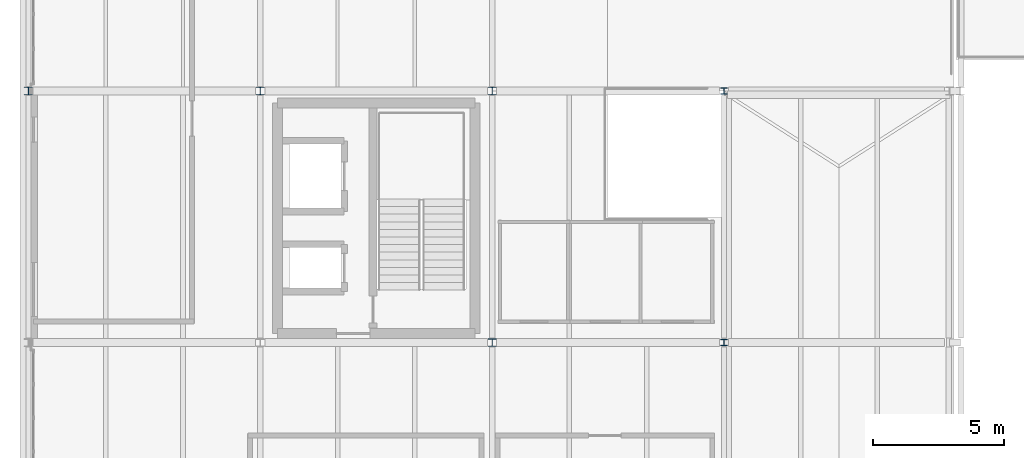
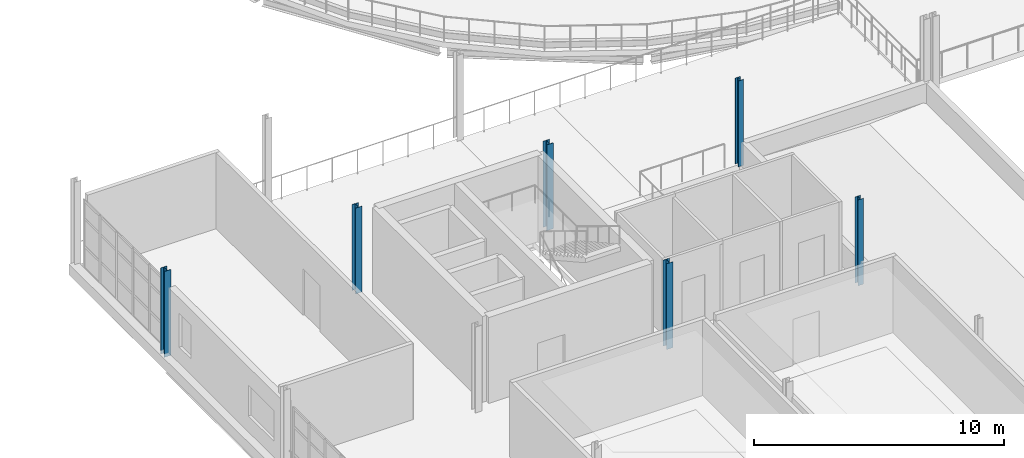
# One storey, part 2 of 58: 6 columns.
"""IFC4 building model written with IfcOpenShell, lengths in metres."""

from ifc_helpers import new_model, si_unit, direction, frame, origin, origin_2d, place, context, subcontext, project, spatial, i_section, extrude, material, material_profile, profile_set, type_object, element, save


model = new_model("IFC4")

# Units and contexts
model_context = context("Model", 3, precision=1e-05, world=origin(), true_north=direction((0.0, 1.0)))
body_context = subcontext(model_context, "Body", "Model", "MODEL_VIEW")
ifc_project = project(units=[si_unit("LENGTHUNIT", "METRE"), si_unit("AREAUNIT", "SQUARE_METRE"), si_unit("VOLUMEUNIT", "CUBIC_METRE"), si_unit("PLANEANGLEUNIT", "RADIAN"), si_unit("MASSUNIT", "GRAM", prefix="KILO")], contexts=[model_context])

# Site, building, storey
site_placement = place(None, origin())
site = spatial("IfcSite", under=ifc_project, at=site_placement, CompositionType="ELEMENT")
building_placement = place(site_placement, origin())
building = spatial("IfcBuilding", under=site, at=building_placement, Name="Yeouljin Market Hall", CompositionType="ELEMENT")
storey_placement = place(building_placement, frame((0.0, 0.0, 10.800048828125)))
storey = spatial("IfcBuildingStorey", under=building, at=storey_placement, Name="L02", CompositionType="ELEMENT", Elevation=10.800048828125)

# Columns
ifc_material_1 = material(Name="Steel SM355", Category="steel")
ifc_material_profile_1 = material_profile(ifc_material_1, i_section(OverallWidth=0.25, OverallDepth=0.25, WebThickness=0.009033203125, FlangeThickness=0.013916015625, FilletRadius=0.01611328125, at=origin_2d()), Name="H-250x250x9x14")
ifc_profile_set_1 = profile_set([ifc_material_profile_1], Name="Steel SM355")
column_type_1 = type_object("IfcColumnType", Name="Col_H-250x250x9x14", PredefinedType="COLUMN", material=ifc_profile_set_1)
for number, where, z_axis, x_axis, name in (
    (1, (26.550048828125, 19.199951171875, 0.0), (0.0, 0.0, 1.0), (1.0, 0.0, 0.0), "Column G-03-02 (L02)"),
    (2, (26.550048828125, 28.800048828125, 0.0), (0.0, 0.0, 1.0), (1.0, 0.0, 0.0), "Column G-03-03 (L02)"),
):
    element("IfcColumn", number, at=place(storey_placement, frame(where, z_axis=z_axis, x_axis=x_axis)), inside=storey, type_object=column_type_1, Name=name, PredefinedType="COLUMN", context=body_context, shape_type="SweptSolid", body=[
        extrude(i_section(OverallWidth=0.25, OverallDepth=0.25, WebThickness=0.009033203125, FlangeThickness=0.013916015625, FilletRadius=0.01611328125, at=origin_2d()), origin(), (0.0, 0.0, 1.0), 4.199951171875),
    ])
ifc_material_2 = material(Name="Steel SM355", Category="steel")
ifc_material_profile_2 = material_profile(ifc_material_2, i_section(OverallWidth=0.300048828125, OverallDepth=0.300048828125, WebThickness=0.010009765625, FlangeThickness=0.014892578125, FilletRadius=0.01806640625, at=origin_2d()), Name="H-300x300x10x15")
ifc_profile_set_2 = profile_set([ifc_material_profile_2], Name="Steel SM355")
column_type_2 = type_object("IfcColumnType", Name="Col_H-300x300x10x15", PredefinedType="COLUMN", material=ifc_profile_set_2)
for number, where, z_axis, x_axis, name in (
    (3, (0.0, 28.800048828125, 0.0), (0.0, 0.0, 1.0), (1.0, 0.0, 0.0), "Column G-00-03 (L02)"),
    (4, (8.85009765625, 28.800048828125, 0.0), (0.0, 0.0, 1.0), (1.0, 0.0, 0.0), "Column G-01-03 (L02)"),
    (5, (17.699951171875, 19.199951171875, 0.0), (0.0, 0.0, 1.0), (1.0, 0.0, 0.0), "Column G-02-02 (L02)"),
    (6, (17.699951171875, 28.800048828125, 0.0), (0.0, 0.0, 1.0), (1.0, 0.0, 0.0), "Column G-02-03 (L02)"),
):
    element("IfcColumn", number, at=place(storey_placement, frame(where, z_axis=z_axis, x_axis=x_axis)), inside=storey, type_object=column_type_2, Name=name, PredefinedType="COLUMN", context=body_context, shape_type="SweptSolid", body=[
        extrude(i_section(OverallWidth=0.300048828125, OverallDepth=0.300048828125, WebThickness=0.010009765625, FlangeThickness=0.014892578125, FilletRadius=0.01806640625, at=origin_2d()), origin(), (0.0, 0.0, 1.0), 4.199951171875),
    ])

save(model, "model.ifc")
